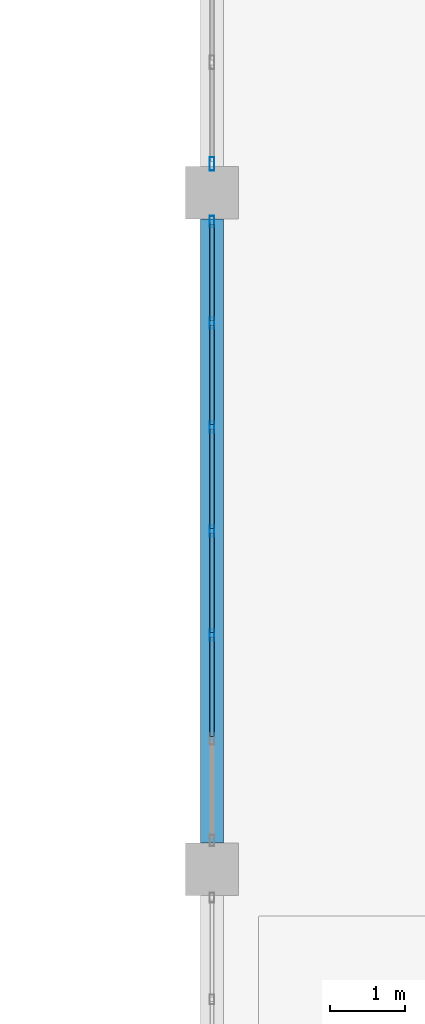
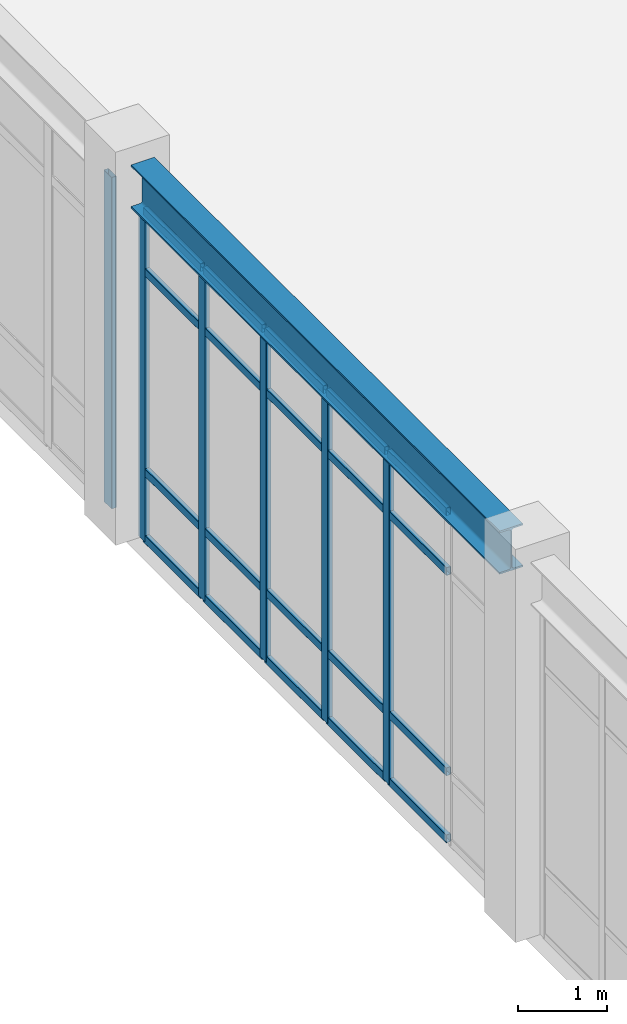
# One storey, part 16 of 80: 26 members, 1 beam, 2 elements without a shape of their own.
"""IFC4 building model written with IfcOpenShell, lengths in metres."""

from ifc_helpers import new_model, si_unit, direction, frame, origin, origin_2d, place, context, subcontext, project, spatial, hollow_rectangle, i_section, extrude, material, material_profile, profile_set, type_object, element, aggregate, save


model = new_model("IFC4")

# Units and contexts
model_context = context("Model", 3, precision=1e-05, world=origin(), true_north=direction((0.0, 1.0)))
body_context = subcontext(model_context, "Body", "Model", "MODEL_VIEW")
ifc_project = project(units=[si_unit("LENGTHUNIT", "METRE"), si_unit("AREAUNIT", "SQUARE_METRE"), si_unit("VOLUMEUNIT", "CUBIC_METRE"), si_unit("PLANEANGLEUNIT", "RADIAN"), si_unit("MASSUNIT", "GRAM", prefix="KILO")], contexts=[model_context])

# Site, building, storey
site_placement = place(None, origin())
site = spatial("IfcSite", under=ifc_project, at=site_placement, CompositionType="ELEMENT")
building_placement = place(site_placement, origin())
building = spatial("IfcBuilding", under=site, at=building_placement, Name="Canglan Escarpment Cableway Terminal", CompositionType="ELEMENT")
storey_placement = place(building_placement, frame((0.0, 0.0, 19.199951171875)))
storey = spatial("IfcBuildingStorey", under=building, at=storey_placement, Name="L04", CompositionType="ELEMENT", Elevation=19.199951171875)

# Beam
ifc_material_1 = material(Name="Steel Q355C", Category="steel")
ifc_material_profile_1 = material_profile(ifc_material_1, i_section(OverallWidth=0.302001953125, OverallDepth=0.593994140625, WebThickness=0.013916015625, FlangeThickness=0.02294921875, FilletRadius=0.028076171875, at=origin_2d()), Name="HM 594x302x14x23")
ifc_profile_set_1 = profile_set([ifc_material_profile_1], Name="Steel Q355C")
beam_type = type_object("IfcBeamType", Name="BM-HM594", PredefinedType="BEAM", material=ifc_profile_set_1)
beam_placement = place(storey_placement, frame((137.60009765625, 61.35009765625, 4.863037109375), z_axis=(0.0, 1.0, 0.0), x_axis=(-1.0, 0.0, 0.0)))
element("IfcBeam", 1, at=beam_placement, inside=storey, type_object=beam_type, Name="Primary transverse girder B-07", PredefinedType="BEAM", context=body_context, shape_type="SweptSolid", body=[
    extrude(i_section(OverallWidth=0.302001953125, OverallDepth=0.593994140625, WebThickness=0.013916015625, FlangeThickness=0.02294921875, FilletRadius=0.028076171875, at=origin_2d()), origin(), (0.0, 0.0, 1.0), 8.2998046875),
])

# Curtain wall, members
ifc_material_2 = material(Name="Anodized bronze aluminium and Low-E double glazing", Category="aluminium")
curtain_wall_type = type_object("IfcCurtainWallType", Name="CW-BAY-8300x4550", PredefinedType="NOTDEFINED", material=ifc_material_2)
curtain_wall_1_placement = place(storey_placement, origin())
curtain_wall_1 = element("IfcCurtainWall", 2, at=curtain_wall_1_placement, inside=storey, type_object=curtain_wall_type, Name="Classical bay-between-piers glazed curtain wall CW-64", PredefinedType="NOTDEFINED")
ifc_material_3 = material(Name="Thermally broken anodized aluminium 6063-T6", Category="aluminium")
ifc_material_profile_2 = material_profile(ifc_material_3, hollow_rectangle(XDim=0.06494140625, YDim=0.14990234375, WallThickness=0.00341796875, InnerFilletRadius=0.00341796875, OuterFilletRadius=0.007080078125, at=origin_2d()), Name="ALU-MULL 65x150x3.5")
ifc_profile_set_2 = profile_set([ifc_material_profile_2], Name="Thermally broken anodized aluminium 6063-T6")
member_type_1 = type_object("IfcMemberType", Name="CWM-02", PredefinedType="MULLION", material=ifc_profile_set_2)
member_1_placement = place(storey_placement, frame((137.60009765625, 69.617431640625, 0.0), z_axis=(0.0, 0.0, 1.0), x_axis=(1.0, 0.0, 0.0)))
member_1 = element("IfcMember", 3, at=member_1_placement, type_object=member_type_1, Name="CW-64 mullion 1", PredefinedType="MULLION", context=body_context, shape_type="SweptSolid", body=[
    extrude(hollow_rectangle(XDim=0.06494140625, YDim=0.14990234375, WallThickness=0.00341796875, InnerFilletRadius=0.00341796875, OuterFilletRadius=0.007080078125, at=origin_2d()), origin(), (0.0, 0.0, 1.0), 4.551025390625),
])
member_2_placement = place(storey_placement, frame((137.60009765625, 68.2666015625, 0.0), z_axis=(0.0, 0.0, 1.0), x_axis=(1.0, 0.0, 0.0)))
member_2 = element("IfcMember", 4, at=member_2_placement, type_object=member_type_1, Name="CW-64 mullion 2", PredefinedType="MULLION", context=body_context, shape_type="SweptSolid", body=[
    extrude(hollow_rectangle(XDim=0.06494140625, YDim=0.14990234375, WallThickness=0.00341796875, InnerFilletRadius=0.00341796875, OuterFilletRadius=0.007080078125, at=origin_2d()), origin(), (0.0, 0.0, 1.0), 4.551025390625),
])
member_3_placement = place(storey_placement, frame((137.60009765625, 66.88330078125, 0.0), z_axis=(0.0, 0.0, 1.0), x_axis=(1.0, 0.0, 0.0)))
member_3 = element("IfcMember", 5, at=member_3_placement, type_object=member_type_1, Name="CW-64 mullion 3", PredefinedType="MULLION", context=body_context, shape_type="SweptSolid", body=[
    extrude(hollow_rectangle(XDim=0.06494140625, YDim=0.14990234375, WallThickness=0.00341796875, InnerFilletRadius=0.00341796875, OuterFilletRadius=0.007080078125, at=origin_2d()), origin(), (0.0, 0.0, 1.0), 4.551025390625),
])
member_4_placement = place(storey_placement, frame((137.60009765625, 65.5, 0.0), z_axis=(0.0, 0.0, 1.0), x_axis=(1.0, 0.0, 0.0)))
member_4 = element("IfcMember", 6, at=member_4_placement, type_object=member_type_1, Name="CW-64 mullion 4", PredefinedType="MULLION", context=body_context, shape_type="SweptSolid", body=[
    extrude(hollow_rectangle(XDim=0.06494140625, YDim=0.14990234375, WallThickness=0.00341796875, InnerFilletRadius=0.00341796875, OuterFilletRadius=0.007080078125, at=origin_2d()), origin(), (0.0, 0.0, 1.0), 4.551025390625),
])
member_5_placement = place(storey_placement, frame((137.60009765625, 64.11669921875, 0.0), z_axis=(0.0, 0.0, 1.0), x_axis=(1.0, 0.0, 0.0)))
member_5 = element("IfcMember", 7, at=member_5_placement, type_object=member_type_1, Name="CW-64 mullion 5", PredefinedType="MULLION", context=body_context, shape_type="SweptSolid", body=[
    extrude(hollow_rectangle(XDim=0.06494140625, YDim=0.14990234375, WallThickness=0.00341796875, InnerFilletRadius=0.00341796875, OuterFilletRadius=0.007080078125, at=origin_2d()), origin(), (0.0, 0.0, 1.0), 4.551025390625),
])

# Curtain wall, member
curtain_wall_2_placement = place(storey_placement, origin())
curtain_wall_2 = element("IfcCurtainWall", 8, at=curtain_wall_2_placement, inside=storey, type_object=curtain_wall_type, Name="Classical bay-between-piers glazed curtain wall CW-64", PredefinedType="NOTDEFINED")
ifc_material_profile_3 = material_profile(ifc_material_3, hollow_rectangle(XDim=0.06494140625, YDim=0.179931640625, WallThickness=0.00390625, InnerFilletRadius=0.00390625, OuterFilletRadius=0.008056640625, at=origin_2d()), Name="ALU-MULL 65x180x4")
ifc_profile_set_3 = profile_set([ifc_material_profile_3], Name="Thermally broken anodized aluminium 6063-T6")
member_type_2 = type_object("IfcMemberType", Name="CWM-03", PredefinedType="MULLION", material=ifc_profile_set_3)
member_6_placement = place(storey_placement, frame((137.60009765625, 70.382568359375, 0.0), z_axis=(0.0, 0.0, 1.0), x_axis=(1.0, 0.0, 0.0)))
member_6 = element("IfcMember", 9, at=member_6_placement, type_object=member_type_2, Name="CW-64 mullion 7", PredefinedType="MULLION", context=body_context, shape_type="SweptSolid", body=[
    extrude(hollow_rectangle(XDim=0.06494140625, YDim=0.179931640625, WallThickness=0.00390625, InnerFilletRadius=0.00390625, OuterFilletRadius=0.008056640625, at=origin_2d()), origin(), (0.0, 0.0, 1.0), 4.551025390625),
])
aggregate(curtain_wall_2, [member_6])

# Member
ifc_material_profile_4 = material_profile(ifc_material_3, hollow_rectangle(XDim=0.06005859375, YDim=0.110107421875, WallThickness=0.0029296875, InnerFilletRadius=0.0029296875, OuterFilletRadius=0.006103515625, at=origin_2d()), Name="ALU-TRAN 60x110x3")
ifc_profile_set_4 = profile_set([ifc_material_profile_4], Name="Thermally broken anodized aluminium 6063-T6")
member_type_3 = type_object("IfcMemberType", Name="CWT-02", PredefinedType="USERDEFINED", material=ifc_profile_set_4)
member_7_placement = place(storey_placement, frame((137.60009765625, 69.5849609375, 0.030029296875), z_axis=(0.0, -1.0, 0.0), x_axis=(1.0, 0.0, 0.0)))
member_7 = element("IfcMember", 10, at=member_7_placement, type_object=member_type_3, Name="CW-64 transom 1.1", ObjectType="TRANSOM", PredefinedType="USERDEFINED", context=body_context, shape_type="SweptSolid", body=[
    extrude(hollow_rectangle(XDim=0.06005859375, YDim=0.110107421875, WallThickness=0.0029296875, InnerFilletRadius=0.0029296875, OuterFilletRadius=0.006103515625, at=origin_2d()), origin(), (0.0, 0.0, 1.0), 1.285888671875),
])

member_8_placement = place(storey_placement, frame((137.60009765625, 69.5849609375, 0.949951171875), z_axis=(0.0, -1.0, 0.0), x_axis=(1.0, 0.0, 0.0)))
member_8 = element("IfcMember", 11, at=member_8_placement, type_object=member_type_3, Name="CW-64 transom 1.2", ObjectType="TRANSOM", PredefinedType="USERDEFINED", context=body_context, shape_type="SweptSolid", body=[
    extrude(hollow_rectangle(XDim=0.06005859375, YDim=0.110107421875, WallThickness=0.0029296875, InnerFilletRadius=0.0029296875, OuterFilletRadius=0.006103515625, at=origin_2d()), origin(), (0.0, 0.0, 1.0), 1.285888671875),
])

member_9_placement = place(storey_placement, frame((137.60009765625, 69.5849609375, 3.700927734375), z_axis=(0.0, -1.0, 0.0), x_axis=(1.0, 0.0, 0.0)))
member_9 = element("IfcMember", 12, at=member_9_placement, type_object=member_type_3, Name="CW-64 transom 1.3", ObjectType="TRANSOM", PredefinedType="USERDEFINED", context=body_context, shape_type="SweptSolid", body=[
    extrude(hollow_rectangle(XDim=0.06005859375, YDim=0.110107421875, WallThickness=0.0029296875, InnerFilletRadius=0.0029296875, OuterFilletRadius=0.006103515625, at=origin_2d()), origin(), (0.0, 0.0, 1.0), 1.285888671875),
])

member_10_placement = place(storey_placement, frame((137.60009765625, 69.5849609375, 4.52099609375), z_axis=(0.0, -1.0, 0.0), x_axis=(1.0, 0.0, 0.0)))
member_10 = element("IfcMember", 13, at=member_10_placement, type_object=member_type_3, Name="CW-64 transom 1.4", ObjectType="TRANSOM", PredefinedType="USERDEFINED", context=body_context, shape_type="SweptSolid", body=[
    extrude(hollow_rectangle(XDim=0.06005859375, YDim=0.110107421875, WallThickness=0.0029296875, InnerFilletRadius=0.0029296875, OuterFilletRadius=0.006103515625, at=origin_2d()), origin(), (0.0, 0.0, 1.0), 1.285888671875),
])

member_11_placement = place(storey_placement, frame((137.60009765625, 68.234130859375, 0.030029296875), z_axis=(0.0, -1.0, 0.0), x_axis=(1.0, 0.0, 0.0)))
member_11 = element("IfcMember", 14, at=member_11_placement, type_object=member_type_3, Name="CW-64 transom 2.1", ObjectType="TRANSOM", PredefinedType="USERDEFINED", context=body_context, shape_type="SweptSolid", body=[
    extrude(hollow_rectangle(XDim=0.06005859375, YDim=0.110107421875, WallThickness=0.0029296875, InnerFilletRadius=0.0029296875, OuterFilletRadius=0.006103515625, at=origin_2d()), origin(), (0.0, 0.0, 1.0), 1.318359375),
])

member_12_placement = place(storey_placement, frame((137.60009765625, 68.234130859375, 0.949951171875), z_axis=(0.0, -1.0, 0.0), x_axis=(1.0, 0.0, 0.0)))
member_12 = element("IfcMember", 15, at=member_12_placement, type_object=member_type_3, Name="CW-64 transom 2.2", ObjectType="TRANSOM", PredefinedType="USERDEFINED", context=body_context, shape_type="SweptSolid", body=[
    extrude(hollow_rectangle(XDim=0.06005859375, YDim=0.110107421875, WallThickness=0.0029296875, InnerFilletRadius=0.0029296875, OuterFilletRadius=0.006103515625, at=origin_2d()), origin(), (0.0, 0.0, 1.0), 1.318359375),
])

member_13_placement = place(storey_placement, frame((137.60009765625, 68.234130859375, 3.700927734375), z_axis=(0.0, -1.0, 0.0), x_axis=(1.0, 0.0, 0.0)))
member_13 = element("IfcMember", 16, at=member_13_placement, type_object=member_type_3, Name="CW-64 transom 2.3", ObjectType="TRANSOM", PredefinedType="USERDEFINED", context=body_context, shape_type="SweptSolid", body=[
    extrude(hollow_rectangle(XDim=0.06005859375, YDim=0.110107421875, WallThickness=0.0029296875, InnerFilletRadius=0.0029296875, OuterFilletRadius=0.006103515625, at=origin_2d()), origin(), (0.0, 0.0, 1.0), 1.318359375),
])

member_14_placement = place(storey_placement, frame((137.60009765625, 68.234130859375, 4.52099609375), z_axis=(0.0, -1.0, 0.0), x_axis=(1.0, 0.0, 0.0)))
member_14 = element("IfcMember", 17, at=member_14_placement, type_object=member_type_3, Name="CW-64 transom 2.4", ObjectType="TRANSOM", PredefinedType="USERDEFINED", context=body_context, shape_type="SweptSolid", body=[
    extrude(hollow_rectangle(XDim=0.06005859375, YDim=0.110107421875, WallThickness=0.0029296875, InnerFilletRadius=0.0029296875, OuterFilletRadius=0.006103515625, at=origin_2d()), origin(), (0.0, 0.0, 1.0), 1.318359375),
])

member_15_placement = place(storey_placement, frame((137.60009765625, 66.850830078125, 0.030029296875), z_axis=(0.0, -1.0, 0.0), x_axis=(1.0, 0.0, 0.0)))
member_15 = element("IfcMember", 18, at=member_15_placement, type_object=member_type_3, Name="CW-64 transom 3.1", ObjectType="TRANSOM", PredefinedType="USERDEFINED", context=body_context, shape_type="SweptSolid", body=[
    extrude(hollow_rectangle(XDim=0.06005859375, YDim=0.110107421875, WallThickness=0.0029296875, InnerFilletRadius=0.0029296875, OuterFilletRadius=0.006103515625, at=origin_2d()), origin(), (0.0, 0.0, 1.0), 1.318359375),
])

member_16_placement = place(storey_placement, frame((137.60009765625, 66.850830078125, 0.949951171875), z_axis=(0.0, -1.0, 0.0), x_axis=(1.0, 0.0, 0.0)))
member_16 = element("IfcMember", 19, at=member_16_placement, type_object=member_type_3, Name="CW-64 transom 3.2", ObjectType="TRANSOM", PredefinedType="USERDEFINED", context=body_context, shape_type="SweptSolid", body=[
    extrude(hollow_rectangle(XDim=0.06005859375, YDim=0.110107421875, WallThickness=0.0029296875, InnerFilletRadius=0.0029296875, OuterFilletRadius=0.006103515625, at=origin_2d()), origin(), (0.0, 0.0, 1.0), 1.318359375),
])

member_17_placement = place(storey_placement, frame((137.60009765625, 66.850830078125, 3.700927734375), z_axis=(0.0, -1.0, 0.0), x_axis=(1.0, 0.0, 0.0)))
member_17 = element("IfcMember", 20, at=member_17_placement, type_object=member_type_3, Name="CW-64 transom 3.3", ObjectType="TRANSOM", PredefinedType="USERDEFINED", context=body_context, shape_type="SweptSolid", body=[
    extrude(hollow_rectangle(XDim=0.06005859375, YDim=0.110107421875, WallThickness=0.0029296875, InnerFilletRadius=0.0029296875, OuterFilletRadius=0.006103515625, at=origin_2d()), origin(), (0.0, 0.0, 1.0), 1.318359375),
])

member_18_placement = place(storey_placement, frame((137.60009765625, 66.850830078125, 4.52099609375), z_axis=(0.0, -1.0, 0.0), x_axis=(1.0, 0.0, 0.0)))
member_18 = element("IfcMember", 21, at=member_18_placement, type_object=member_type_3, Name="CW-64 transom 3.4", ObjectType="TRANSOM", PredefinedType="USERDEFINED", context=body_context, shape_type="SweptSolid", body=[
    extrude(hollow_rectangle(XDim=0.06005859375, YDim=0.110107421875, WallThickness=0.0029296875, InnerFilletRadius=0.0029296875, OuterFilletRadius=0.006103515625, at=origin_2d()), origin(), (0.0, 0.0, 1.0), 1.318359375),
])

member_19_placement = place(storey_placement, frame((137.60009765625, 65.467529296875, 0.030029296875), z_axis=(0.0, -1.0, 0.0), x_axis=(1.0, 0.0, 0.0)))
member_19 = element("IfcMember", 22, at=member_19_placement, type_object=member_type_3, Name="CW-64 transom 4.1", ObjectType="TRANSOM", PredefinedType="USERDEFINED", context=body_context, shape_type="SweptSolid", body=[
    extrude(hollow_rectangle(XDim=0.06005859375, YDim=0.110107421875, WallThickness=0.0029296875, InnerFilletRadius=0.0029296875, OuterFilletRadius=0.006103515625, at=origin_2d()), origin(), (0.0, 0.0, 1.0), 1.318359375),
])

member_20_placement = place(storey_placement, frame((137.60009765625, 65.467529296875, 0.949951171875), z_axis=(0.0, -1.0, 0.0), x_axis=(1.0, 0.0, 0.0)))
member_20 = element("IfcMember", 23, at=member_20_placement, type_object=member_type_3, Name="CW-64 transom 4.2", ObjectType="TRANSOM", PredefinedType="USERDEFINED", context=body_context, shape_type="SweptSolid", body=[
    extrude(hollow_rectangle(XDim=0.06005859375, YDim=0.110107421875, WallThickness=0.0029296875, InnerFilletRadius=0.0029296875, OuterFilletRadius=0.006103515625, at=origin_2d()), origin(), (0.0, 0.0, 1.0), 1.318359375),
])

member_21_placement = place(storey_placement, frame((137.60009765625, 65.467529296875, 3.700927734375), z_axis=(0.0, -1.0, 0.0), x_axis=(1.0, 0.0, 0.0)))
member_21 = element("IfcMember", 24, at=member_21_placement, type_object=member_type_3, Name="CW-64 transom 4.3", ObjectType="TRANSOM", PredefinedType="USERDEFINED", context=body_context, shape_type="SweptSolid", body=[
    extrude(hollow_rectangle(XDim=0.06005859375, YDim=0.110107421875, WallThickness=0.0029296875, InnerFilletRadius=0.0029296875, OuterFilletRadius=0.006103515625, at=origin_2d()), origin(), (0.0, 0.0, 1.0), 1.318359375),
])

member_22_placement = place(storey_placement, frame((137.60009765625, 65.467529296875, 4.52099609375), z_axis=(0.0, -1.0, 0.0), x_axis=(1.0, 0.0, 0.0)))
member_22 = element("IfcMember", 25, at=member_22_placement, type_object=member_type_3, Name="CW-64 transom 4.4", ObjectType="TRANSOM", PredefinedType="USERDEFINED", context=body_context, shape_type="SweptSolid", body=[
    extrude(hollow_rectangle(XDim=0.06005859375, YDim=0.110107421875, WallThickness=0.0029296875, InnerFilletRadius=0.0029296875, OuterFilletRadius=0.006103515625, at=origin_2d()), origin(), (0.0, 0.0, 1.0), 1.318359375),
])

member_23_placement = place(storey_placement, frame((137.60009765625, 64.084228515625, 0.030029296875), z_axis=(0.0, -1.0, 0.0), x_axis=(1.0, 0.0, 0.0)))
member_23 = element("IfcMember", 26, at=member_23_placement, type_object=member_type_3, Name="CW-64 transom 5.1", ObjectType="TRANSOM", PredefinedType="USERDEFINED", context=body_context, shape_type="SweptSolid", body=[
    extrude(hollow_rectangle(XDim=0.06005859375, YDim=0.110107421875, WallThickness=0.0029296875, InnerFilletRadius=0.0029296875, OuterFilletRadius=0.006103515625, at=origin_2d()), origin(), (0.0, 0.0, 1.0), 1.318359375),
])

member_24_placement = place(storey_placement, frame((137.60009765625, 64.084228515625, 0.949951171875), z_axis=(0.0, -1.0, 0.0), x_axis=(1.0, 0.0, 0.0)))
member_24 = element("IfcMember", 27, at=member_24_placement, type_object=member_type_3, Name="CW-64 transom 5.2", ObjectType="TRANSOM", PredefinedType="USERDEFINED", context=body_context, shape_type="SweptSolid", body=[
    extrude(hollow_rectangle(XDim=0.06005859375, YDim=0.110107421875, WallThickness=0.0029296875, InnerFilletRadius=0.0029296875, OuterFilletRadius=0.006103515625, at=origin_2d()), origin(), (0.0, 0.0, 1.0), 1.318359375),
])

member_25_placement = place(storey_placement, frame((137.60009765625, 64.084228515625, 3.700927734375), z_axis=(0.0, -1.0, 0.0), x_axis=(1.0, 0.0, 0.0)))
member_25 = element("IfcMember", 28, at=member_25_placement, type_object=member_type_3, Name="CW-64 transom 5.3", ObjectType="TRANSOM", PredefinedType="USERDEFINED", context=body_context, shape_type="SweptSolid", body=[
    extrude(hollow_rectangle(XDim=0.06005859375, YDim=0.110107421875, WallThickness=0.0029296875, InnerFilletRadius=0.0029296875, OuterFilletRadius=0.006103515625, at=origin_2d()), origin(), (0.0, 0.0, 1.0), 1.318359375),
])

member_26_placement = place(storey_placement, frame((137.60009765625, 64.084228515625, 4.52099609375), z_axis=(0.0, -1.0, 0.0), x_axis=(1.0, 0.0, 0.0)))
member_26 = element("IfcMember", 29, at=member_26_placement, type_object=member_type_3, Name="CW-64 transom 5.4", ObjectType="TRANSOM", PredefinedType="USERDEFINED", context=body_context, shape_type="SweptSolid", body=[
    extrude(hollow_rectangle(XDim=0.06005859375, YDim=0.110107421875, WallThickness=0.0029296875, InnerFilletRadius=0.0029296875, OuterFilletRadius=0.006103515625, at=origin_2d()), origin(), (0.0, 0.0, 1.0), 1.318359375),
])

aggregate(curtain_wall_1, [member_1, member_2, member_3, member_4, member_5, member_7, member_8, member_9, member_10, member_11, member_12, member_13, member_14, member_15, member_16, member_17, member_18, member_19, member_20, member_21, member_22, member_23, member_24, member_25, member_26])

save(model, "model.ifc")
